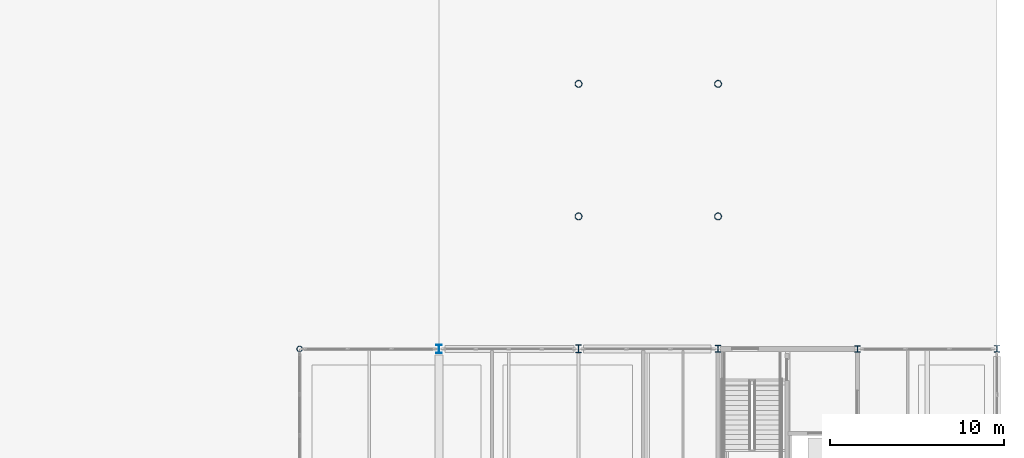
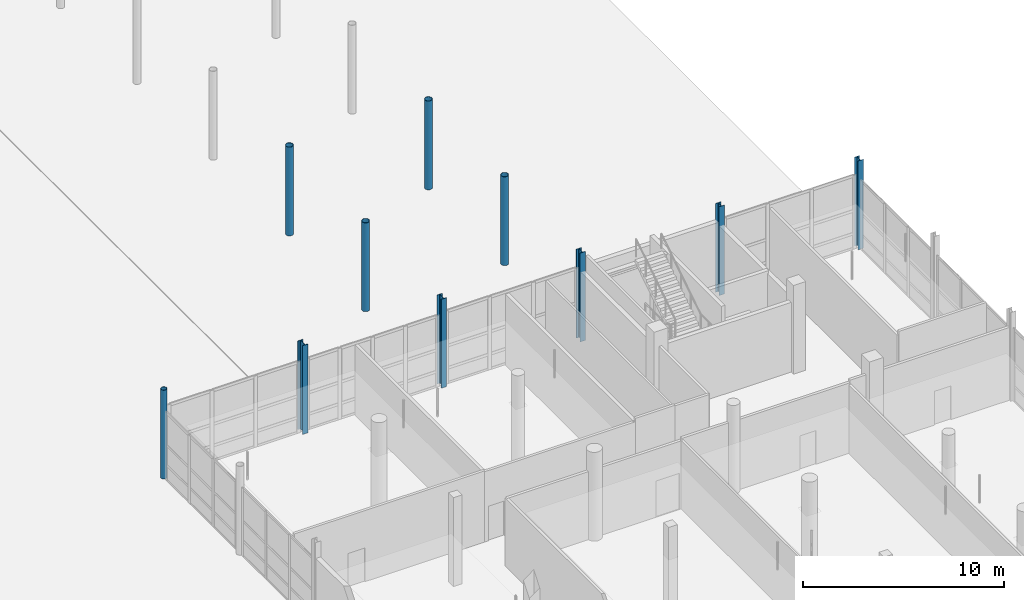
# One storey, part 8 of 126: 10 columns.
"""IFC4 building model written with IfcOpenShell, lengths in metres."""

from ifc_helpers import new_model, si_unit, direction, frame, origin, origin_2d, place, context, subcontext, project, spatial, hollow_circle, i_section, extrude, material, material_profile, profile_set, type_object, element, save


model = new_model("IFC4")

# Units and contexts
model_context = context("Model", 3, precision=1e-05, world=origin(), true_north=direction((0.0, 1.0)))
body_context = subcontext(model_context, "Body", "Model", "MODEL_VIEW")
ifc_project = project(units=[si_unit("LENGTHUNIT", "METRE"), si_unit("AREAUNIT", "SQUARE_METRE"), si_unit("VOLUMEUNIT", "CUBIC_METRE"), si_unit("PLANEANGLEUNIT", "RADIAN"), si_unit("MASSUNIT", "GRAM", prefix="KILO")], contexts=[model_context])

# Site, building, storey
site_placement = place(None, origin())
site = spatial("IfcSite", under=ifc_project, at=site_placement, CompositionType="ELEMENT")
building_placement = place(site_placement, origin())
building = spatial("IfcBuilding", under=site, at=building_placement, Name="Khelvaren Railside Concert Hall", CompositionType="ELEMENT")
storey_placement = place(building_placement, origin())
storey = spatial("IfcBuildingStorey", under=building, at=storey_placement, Name="L00", CompositionType="ELEMENT", Elevation=0.0)

# Columns
ifc_material = material(Name="Steel S355", Category="steel")
ifc_material_profile_1 = material_profile(ifc_material, i_section(OverallWidth=0.300048828125, OverallDepth=0.360107421875, WebThickness=0.012451171875, FlangeThickness=0.0224609375, FilletRadius=0.027099609375, at=origin_2d()), Name="HEB 360")
ifc_profile_set_1 = profile_set([ifc_material_profile_1], Name="Steel S355")
column_type_1 = type_object("IfcColumnType", Name="COL12", PredefinedType="COLUMN", material=ifc_profile_set_1)
column_1_placement = place(storey_placement, frame((176.0, 38.0, 0.0), z_axis=(0.0, 0.0, 1.0), x_axis=(1.0, 0.0, 0.0)))
element("IfcColumn", 1, at=column_1_placement, inside=storey, type_object=column_type_1, Name="V2 L00 Column (176.0,38.0)", PredefinedType="COLUMN", context=body_context, shape_type="SweptSolid", body=[
    extrude(i_section(OverallWidth=0.300048828125, OverallDepth=0.360107421875, WebThickness=0.012451171875, FlangeThickness=0.0224609375, FilletRadius=0.027099609375, at=origin_2d()), origin(), (0.0, 0.0, 1.0), 5.39990234375),
])
ifc_material_profile_2 = material_profile(ifc_material, i_section(OverallWidth=0.300048828125, OverallDepth=0.5, WebThickness=0.014404296875, FlangeThickness=0.028076171875, FilletRadius=0.027099609375, at=origin_2d()), Name="HEB 500")
ifc_profile_set_2 = profile_set([ifc_material_profile_2], Name="Steel S355")
column_type_2 = type_object("IfcColumnType", Name="COL15", PredefinedType="COLUMN", material=ifc_profile_set_2)
column_2_placement = place(storey_placement, frame((152.0, 38.0, 0.0), z_axis=(0.0, 0.0, 1.0), x_axis=(1.0, 0.0, 0.0)))
element("IfcColumn", 2, at=column_2_placement, inside=storey, type_object=column_type_2, Name="V2 L00 Column (152.0,38.0)", PredefinedType="COLUMN", context=body_context, shape_type="SweptSolid", body=[
    extrude(i_section(OverallWidth=0.300048828125, OverallDepth=0.5, WebThickness=0.014404296875, FlangeThickness=0.028076171875, FilletRadius=0.027099609375, at=origin_2d()), origin(), (0.0, 0.0, 1.0), 5.39990234375),
])
ifc_material_profile_3 = material_profile(ifc_material, i_section(OverallWidth=0.300048828125, OverallDepth=0.389892578125, WebThickness=0.010986328125, FlangeThickness=0.01904296875, FilletRadius=0.027099609375, at=origin_2d()), Name="HEA 400")
ifc_profile_set_3 = profile_set([ifc_material_profile_3], Name="Steel S355")
column_type_3 = type_object("IfcColumnType", Name="COL23", PredefinedType="COLUMN", material=ifc_profile_set_3)
column_3_placement = place(storey_placement, frame((184.0, 38.0, 0.0), z_axis=(0.0, 0.0, 1.0), x_axis=(1.0, 0.0, 0.0)))
element("IfcColumn", 3, at=column_3_placement, inside=storey, type_object=column_type_3, Name="V2 L00 Column (184.0,38.0)", PredefinedType="COLUMN", context=body_context, shape_type="SweptSolid", body=[
    extrude(i_section(OverallWidth=0.300048828125, OverallDepth=0.389892578125, WebThickness=0.010986328125, FlangeThickness=0.01904296875, FilletRadius=0.027099609375, at=origin_2d()), origin(), (0.0, 0.0, 1.0), 5.39990234375),
])
ifc_material_profile_4 = material_profile(ifc_material, hollow_circle(Radius=0.203125, WallThickness=0.02001953125, at=origin_2d()), Name="CHS 406.4x20")
ifc_profile_set_4 = profile_set([ifc_material_profile_4], Name="Steel S355")
column_type_4 = type_object("IfcColumnType", Name="COL27", PredefinedType="COLUMN", material=ifc_profile_set_4)
for number, where, z_axis, x_axis, name in (
    (4, (160.0, 45.60009765625, 0.0), (0.0, 0.0, 1.0), (1.0, 0.0, 0.0), "LB4 L00 Bridge Pier (160,45.6)"),
    (5, (160.0, 53.199951171875, 0.0), (0.0, 0.0, 1.0), (1.0, 0.0, 0.0), "LB4 L00 Bridge Pier (160,53.2)"),
    (6, (168.0, 45.60009765625, 0.0), (0.0, 0.0, 1.0), (1.0, 0.0, 0.0), "LB4 L00 Bridge Pier (168,45.6)"),
    (7, (168.0, 53.199951171875, 0.0), (0.0, 0.0, 1.0), (1.0, 0.0, 0.0), "LB4 L00 Bridge Pier (168,53.2)"),
):
    element("IfcColumn", number, at=place(storey_placement, frame(where, z_axis=z_axis, x_axis=x_axis)), inside=storey, type_object=column_type_4, Name=name, PredefinedType="COLUMN", context=body_context, shape_type="SweptSolid", body=[
        extrude(hollow_circle(Radius=0.203125, WallThickness=0.02001953125, at=origin_2d()), origin(), (0.0, 0.0, 1.0), 5.39990234375),
    ])
ifc_material_profile_5 = material_profile(ifc_material, hollow_circle(Radius=0.161865234375, WallThickness=0.01611328125, at=origin_2d()), Name="CHS 323.9x16")
ifc_profile_set_5 = profile_set([ifc_material_profile_5], Name="Steel S355")
column_type_5 = type_object("IfcColumnType", Name="COL47", PredefinedType="COLUMN", material=ifc_profile_set_5)
column_4_placement = place(storey_placement, frame((144.0, 38.0, 0.0), z_axis=(0.0, 0.0, 1.0), x_axis=(1.0, 0.0, 0.0)))
element("IfcColumn", 8, at=column_4_placement, inside=storey, type_object=column_type_5, Name="V2 L00 Column (144.0,38.0)", PredefinedType="COLUMN", context=body_context, shape_type="SweptSolid", body=[
    extrude(hollow_circle(Radius=0.161865234375, WallThickness=0.01611328125, at=origin_2d()), origin(), (0.0, 0.0, 1.0), 5.39990234375),
])
ifc_material_profile_6 = material_profile(ifc_material, i_section(OverallWidth=0.300048828125, OverallDepth=0.449951171875, WebThickness=0.013916015625, FlangeThickness=0.02587890625, FilletRadius=0.027099609375, at=origin_2d()), Name="HEB 450")
ifc_profile_set_6 = profile_set([ifc_material_profile_6], Name="Steel S355")
column_type_6 = type_object("IfcColumnType", Name="COL77", PredefinedType="COLUMN", material=ifc_profile_set_6)
column_5_placement = place(storey_placement, frame((160.0, 38.0, 0.0), z_axis=(0.0, 0.0, 1.0), x_axis=(1.0, 0.0, 0.0)))
element("IfcColumn", 9, at=column_5_placement, inside=storey, type_object=column_type_6, Name="V2 L00 Column (160.0,38.0)", PredefinedType="COLUMN", context=body_context, shape_type="SweptSolid", body=[
    extrude(i_section(OverallWidth=0.300048828125, OverallDepth=0.449951171875, WebThickness=0.013916015625, FlangeThickness=0.02587890625, FilletRadius=0.027099609375, at=origin_2d()), origin(), (0.0, 0.0, 1.0), 5.39990234375),
])
ifc_material_profile_7 = material_profile(ifc_material, i_section(OverallWidth=0.300048828125, OverallDepth=0.39990234375, WebThickness=0.013427734375, FlangeThickness=0.02392578125, FilletRadius=0.027099609375, at=origin_2d()), Name="HEB 400")
ifc_profile_set_7 = profile_set([ifc_material_profile_7], Name="Steel S355")
column_type_7 = type_object("IfcColumnType", Name="COL88", PredefinedType="COLUMN", material=ifc_profile_set_7)
column_6_placement = place(storey_placement, frame((168.0, 38.0, 0.0), z_axis=(0.0, 0.0, 1.0), x_axis=(1.0, 0.0, 0.0)))
element("IfcColumn", 10, at=column_6_placement, inside=storey, type_object=column_type_7, Name="V2 L00 Column (168.0,38.0)", PredefinedType="COLUMN", context=body_context, shape_type="SweptSolid", body=[
    extrude(i_section(OverallWidth=0.300048828125, OverallDepth=0.39990234375, WebThickness=0.013427734375, FlangeThickness=0.02392578125, FilletRadius=0.027099609375, at=origin_2d()), origin(), (0.0, 0.0, 1.0), 5.39990234375),
])

save(model, "model.ifc")
